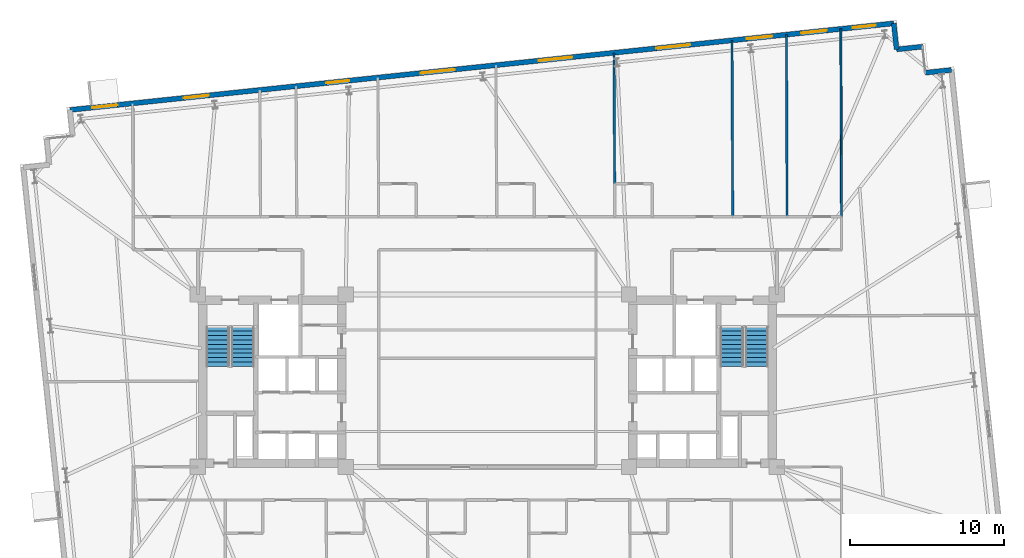
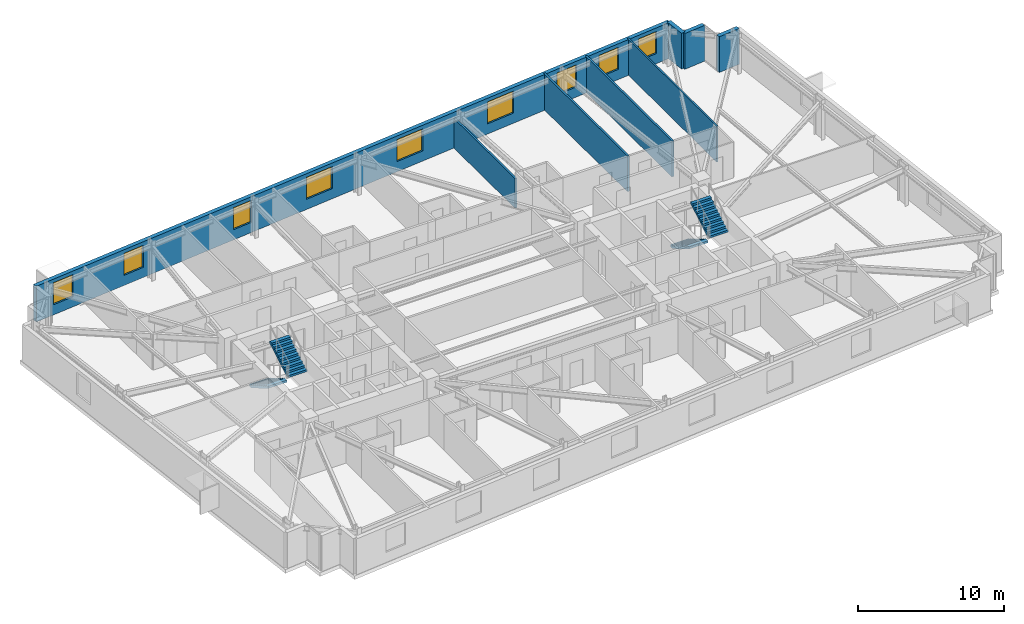
# One storey, part 16 of 19: 9 windows, 8 walls, 4 stair flights, 9 openings, 2 elements without a shape of their own.
"""IFC4 building model written with IfcOpenShell, lengths in metres."""

from ifc_helpers import new_model, si_unit, direction, frame, frame_2d, origin, place, context, subcontext, project, spatial, polyline, rectangle, outline, extrude, material, layer, layer_set, type_object, element, fill, aggregate, save


model = new_model("IFC4")

# Units and contexts
model_context = context("Model", 3, precision=1e-05, world=origin(), true_north=direction((0.0, 1.0)))
body_context = subcontext(model_context, "Body", "Model", "MODEL_VIEW")
ifc_project = project(units=[si_unit("LENGTHUNIT", "METRE"), si_unit("AREAUNIT", "SQUARE_METRE"), si_unit("VOLUMEUNIT", "CUBIC_METRE"), si_unit("PLANEANGLEUNIT", "RADIAN"), si_unit("MASSUNIT", "GRAM", prefix="KILO")], contexts=[model_context])

# Site, building, storey
site_placement = place(None, origin())
site = spatial("IfcSite", under=ifc_project, at=site_placement, CompositionType="ELEMENT")
building_placement = place(site_placement, origin())
building = spatial("IfcBuilding", under=site, at=building_placement, Name="Qobustan Lattice House", CompositionType="ELEMENT")
storey_placement = place(building_placement, frame((0.0, 0.0, 122.550048828125)))
storey = spatial("IfcBuildingStorey", under=building, at=storey_placement, Name="L34", CompositionType="ELEMENT", Elevation=122.550048828125)

# Wall, openings, windows
ifc_material_1 = material(Name="Precast concrete C40/50", Category="concrete")
ifc_layer_1 = layer(ifc_material_1, 0.320068359375)
ifc_layer_set_1 = layer_set([ifc_layer_1], Name="Precast concrete C40/50")
wall_type_1 = type_object("IfcWallType", Name="WAL-EXT-STONE-320", PredefinedType="SOLIDWALL", material=ifc_layer_set_1)
wall_1_placement = place(storey_placement, frame((-27.107421875, 17.585693359375, 0.0), z_axis=(0.0, 0.0, 1.0), x_axis=(0.994521628355, 0.104531003701, 0.0)))
wall_1 = element("IfcWall", 1, at=wall_1_placement, inside=storey, type_object=wall_type_1, Name="L34 exterior limestone-clad wall 10", PredefinedType="SOLIDWALL", context=body_context, shape_type="SweptSolid", body=[
    extrude(rectangle(XDim=53.800048828125, YDim=0.320068359375, at=frame_2d((26.89990234375, 0.0))), origin(), (0.0, 0.0, 1.0), 3.0),
])
opening_1_placement = place(wall_1_placement, frame((1.456787109375, 0.0, 0.85009765625)))
opening_1 = element("IfcOpeningElement", 2, at=opening_1_placement, cuts=wall_1, Name="Opening WN-09", PredefinedType="OPENING", context=body_context, shape_type="SweptSolid", body=[
    extrude(rectangle(XDim=1.64990234375, YDim=1.85009765625, at=frame_2d((0.824951171875, 0.925048828125))), frame((0.0, 0.169921875, 0.0), z_axis=(0.0, -1.0, 0.0), x_axis=(1.0, 0.0, 0.0)), (0.0, 0.0, 1.0), 0.340087890625),
])
opening_2_placement = place(wall_1_placement, frame((7.421142578125, 0.0, 0.85009765625)))
opening_2 = element("IfcOpeningElement", 3, at=opening_2_placement, cuts=wall_1, Name="Opening WN-09", PredefinedType="OPENING", context=body_context, shape_type="SweptSolid", body=[
    extrude(rectangle(XDim=1.64990234375, YDim=1.85009765625, at=frame_2d((0.824951171875, 0.925048828125))), frame((0.0, 0.169921875, 0.0), z_axis=(0.0, -1.0, 0.0), x_axis=(1.0, 0.0, 0.0)), (0.0, 0.0, 1.0), 0.340087890625),
])
opening_3_placement = place(wall_1_placement, frame((16.742919921875, 0.0, 0.85009765625)))
opening_3 = element("IfcOpeningElement", 4, at=opening_3_placement, cuts=wall_1, Name="Opening WN-01", PredefinedType="OPENING", context=body_context, shape_type="SweptSolid", body=[
    extrude(rectangle(XDim=1.5, YDim=1.85009765625, at=frame_2d((0.75, 0.925048828125))), frame((0.0, 0.169921875, 0.0), z_axis=(0.0, -1.0, 0.0), x_axis=(1.0, 0.0, 0.0)), (0.0, 0.0, 1.0), 0.340087890625),
])
opening_4_placement = place(wall_1_placement, frame((22.91796875, 0.0, 0.85009765625)))
opening_4 = element("IfcOpeningElement", 5, at=opening_4_placement, cuts=wall_1, Name="Opening WN-03", PredefinedType="OPENING", context=body_context, shape_type="SweptSolid", body=[
    extrude(rectangle(XDim=2.199951171875, YDim=1.85009765625, at=frame_2d((1.10009765625, 0.925048828125))), frame((0.0, 0.169921875, 0.0), z_axis=(0.0, -1.0, 0.0), x_axis=(1.0, 0.0, 0.0)), (0.0, 0.0, 1.0), 0.340087890625),
])
opening_5_placement = place(wall_1_placement, frame((30.603515625, 0.0, 0.85009765625)))
opening_5 = element("IfcOpeningElement", 6, at=opening_5_placement, cuts=wall_1, Name="Opening WN-03", PredefinedType="OPENING", context=body_context, shape_type="SweptSolid", body=[
    extrude(rectangle(XDim=2.199951171875, YDim=1.85009765625, at=frame_2d((1.10009765625, 0.925048828125))), frame((0.0, 0.169921875, 0.0), z_axis=(0.0, -1.0, 0.0), x_axis=(1.0, 0.0, 0.0)), (0.0, 0.0, 1.0), 0.340087890625),
])
opening_6_placement = place(wall_1_placement, frame((38.289306640625, 0.0, 0.85009765625)))
opening_6 = element("IfcOpeningElement", 7, at=opening_6_placement, cuts=wall_1, Name="Opening WN-03", PredefinedType="OPENING", context=body_context, shape_type="SweptSolid", body=[
    extrude(rectangle(XDim=2.199951171875, YDim=1.85009765625, at=frame_2d((1.10009765625, 0.925048828125))), frame((0.0, 0.169921875, 0.0), z_axis=(0.0, -1.0, 0.0), x_axis=(1.0, 0.0, 0.0)), (0.0, 0.0, 1.0), 0.340087890625),
])
opening_7_placement = place(wall_1_placement, frame((44.20849609375, 0.0, 0.85009765625)))
opening_7 = element("IfcOpeningElement", 8, at=opening_7_placement, cuts=wall_1, Name="Opening WN-09", PredefinedType="OPENING", context=body_context, shape_type="SweptSolid", body=[
    extrude(rectangle(XDim=1.64990234375, YDim=1.85009765625, at=frame_2d((0.824951171875, 0.925048828125))), frame((0.0, 0.169921875, 0.0), z_axis=(0.0, -1.0, 0.0), x_axis=(1.0, 0.0, 0.0)), (0.0, 0.0, 1.0), 0.340087890625),
])
opening_8_placement = place(wall_1_placement, frame((47.771240234375, 0.0, 0.85009765625)))
opening_8 = element("IfcOpeningElement", 9, at=opening_8_placement, cuts=wall_1, Name="Opening WN-09", PredefinedType="OPENING", context=body_context, shape_type="SweptSolid", body=[
    extrude(rectangle(XDim=1.64990234375, YDim=1.85009765625, at=frame_2d((0.824951171875, 0.925048828125))), frame((0.0, 0.169921875, 0.0), z_axis=(0.0, -1.0, 0.0), x_axis=(1.0, 0.0, 0.0)), (0.0, 0.0, 1.0), 0.340087890625),
])
opening_9_placement = place(wall_1_placement, frame((51.128662109375, 0.0, 0.85009765625)))
opening_9 = element("IfcOpeningElement", 10, at=opening_9_placement, cuts=wall_1, Name="Opening WN-01", PredefinedType="OPENING", context=body_context, shape_type="SweptSolid", body=[
    extrude(rectangle(XDim=1.5, YDim=1.85009765625, at=frame_2d((0.75, 0.925048828125))), frame((0.0, 0.169921875, 0.0), z_axis=(0.0, -1.0, 0.0), x_axis=(1.0, 0.0, 0.0)), (0.0, 0.0, 1.0), 0.340087890625),
])
ifc_material_2 = material(Name="Double-glazed low-E aluminium window", Category="aluminium")
window_type_1 = type_object("IfcWindowType", Name="WIN-BED-1500x1850", PartitioningType="SINGLE_PANEL", PredefinedType="WINDOW", material=ifc_material_2)
window_1_placement = place(opening_3_placement, origin())
window_1 = element("IfcWindow", 11, at=window_1_placement, inside=storey, type_object=window_type_1, Name="L34 Laundry utility room window", OverallHeight=1.85009765625, OverallWidth=1.5, PartitioningType="SINGLE_PANEL", PredefinedType="WINDOW", context=body_context, shape_type="SweptSolid", body=[
    extrude(rectangle(XDim=1.5, YDim=1.85009765625, at=frame_2d((0.75, 0.925048828125))), frame((0.0, 0.030029296875, 0.0), z_axis=(0.0, -1.0, 0.0), x_axis=(1.0, 0.0, 0.0)), (0.0, 0.0, 1.0), 0.06005859375),
])
fill(opening_3, window_1)
window_2_placement = place(opening_9_placement, origin())
window_2 = element("IfcWindow", 12, at=window_2_placement, inside=storey, type_object=window_type_1, Name="L34 Music and podcast studio window", OverallHeight=1.85009765625, OverallWidth=1.5, PartitioningType="SINGLE_PANEL", PredefinedType="WINDOW", context=body_context, shape_type="SweptSolid", body=[
    extrude(rectangle(XDim=1.5, YDim=1.85009765625, at=frame_2d((0.75, 0.925048828125))), frame((0.0, 0.030029296875, 0.0), z_axis=(0.0, -1.0, 0.0), x_axis=(1.0, 0.0, 0.0)), (0.0, 0.0, 1.0), 0.06005859375),
])
fill(opening_9, window_2)
ifc_material_3 = material(Name="Double-glazed low-E aluminium window", Category="aluminium")
window_type_2 = type_object("IfcWindowType", Name="WIN-STU-1650x1850", PartitioningType="SINGLE_PANEL", PredefinedType="WINDOW", material=ifc_material_3)
window_3_placement = place(opening_1_placement, origin())
window_3 = element("IfcWindow", 13, at=window_3_placement, inside=storey, type_object=window_type_2, Name="L34 Collaborative tutorial room window", OverallHeight=1.85009765625, OverallWidth=1.64990234375, PartitioningType="SINGLE_PANEL", PredefinedType="WINDOW", context=body_context, shape_type="SweptSolid", body=[
    extrude(rectangle(XDim=1.64990234375, YDim=1.85009765625, at=frame_2d((0.824951171875, 0.925048828125))), frame((0.0, 0.030029296875, 0.0), z_axis=(0.0, -1.0, 0.0), x_axis=(1.0, 0.0, 0.0)), (0.0, 0.0, 1.0), 0.06005859375),
])
fill(opening_1, window_3)
window_4_placement = place(opening_2_placement, origin())
window_4 = element("IfcWindow", 14, at=window_4_placement, inside=storey, type_object=window_type_2, Name="L34 Focus study room N1 window", OverallHeight=1.85009765625, OverallWidth=1.64990234375, PartitioningType="SINGLE_PANEL", PredefinedType="WINDOW", context=body_context, shape_type="SweptSolid", body=[
    extrude(rectangle(XDim=1.64990234375, YDim=1.85009765625, at=frame_2d((0.824951171875, 0.925048828125))), frame((0.0, 0.030029296875, 0.0), z_axis=(0.0, -1.0, 0.0), x_axis=(1.0, 0.0, 0.0)), (0.0, 0.0, 1.0), 0.06005859375),
])
fill(opening_2, window_4)
window_5_placement = place(opening_7_placement, origin())
window_5 = element("IfcWindow", 15, at=window_5_placement, inside=storey, type_object=window_type_2, Name="L34 Focus study room N6A window", OverallHeight=1.85009765625, OverallWidth=1.64990234375, PartitioningType="SINGLE_PANEL", PredefinedType="WINDOW", context=body_context, shape_type="SweptSolid", body=[
    extrude(rectangle(XDim=1.64990234375, YDim=1.85009765625, at=frame_2d((0.824951171875, 0.925048828125))), frame((0.0, 0.030029296875, 0.0), z_axis=(0.0, -1.0, 0.0), x_axis=(1.0, 0.0, 0.0)), (0.0, 0.0, 1.0), 0.06005859375),
])
fill(opening_7, window_5)
window_6_placement = place(opening_8_placement, origin())
window_6 = element("IfcWindow", 16, at=window_6_placement, inside=storey, type_object=window_type_2, Name="L34 Focus study room N6B window", OverallHeight=1.85009765625, OverallWidth=1.64990234375, PartitioningType="SINGLE_PANEL", PredefinedType="WINDOW", context=body_context, shape_type="SweptSolid", body=[
    extrude(rectangle(XDim=1.64990234375, YDim=1.85009765625, at=frame_2d((0.824951171875, 0.925048828125))), frame((0.0, 0.030029296875, 0.0), z_axis=(0.0, -1.0, 0.0), x_axis=(1.0, 0.0, 0.0)), (0.0, 0.0, 1.0), 0.06005859375),
])
fill(opening_8, window_6)
ifc_material_4 = material(Name="Double-glazed low-E aluminium window", Category="aluminium")
window_type_3 = type_object("IfcWindowType", Name="WIN-WIDE-2200x1850", PartitioningType="SINGLE_PANEL", PredefinedType="WINDOW", material=ifc_material_4)
window_7_placement = place(opening_4_placement, origin())
window_7 = element("IfcWindow", 17, at=window_7_placement, inside=storey, type_object=window_type_3, Name="L34 Kitchenette and studio apartment L34-N3 window", OverallHeight=1.85009765625, OverallWidth=2.199951171875, PartitioningType="SINGLE_PANEL", PredefinedType="WINDOW", context=body_context, shape_type="SweptSolid", body=[
    extrude(rectangle(XDim=2.199951171875, YDim=1.85009765625, at=frame_2d((1.10009765625, 0.925048828125))), frame((0.0, 0.030029296875, 0.0), z_axis=(0.0, -1.0, 0.0), x_axis=(1.0, 0.0, 0.0)), (0.0, 0.0, 1.0), 0.06005859375),
])
fill(opening_4, window_7)
window_8_placement = place(opening_5_placement, origin())
window_8 = element("IfcWindow", 18, at=window_8_placement, inside=storey, type_object=window_type_3, Name="L34 Kitchenette and studio apartment L34-N4 window", OverallHeight=1.85009765625, OverallWidth=2.199951171875, PartitioningType="SINGLE_PANEL", PredefinedType="WINDOW", context=body_context, shape_type="SweptSolid", body=[
    extrude(rectangle(XDim=2.199951171875, YDim=1.85009765625, at=frame_2d((1.10009765625, 0.925048828125))), frame((0.0, 0.030029296875, 0.0), z_axis=(0.0, -1.0, 0.0), x_axis=(1.0, 0.0, 0.0)), (0.0, 0.0, 1.0), 0.06005859375),
])
fill(opening_5, window_8)
window_9_placement = place(opening_6_placement, origin())
window_9 = element("IfcWindow", 19, at=window_9_placement, inside=storey, type_object=window_type_3, Name="L34 Kitchenette and studio apartment L34-N5 window", OverallHeight=1.85009765625, OverallWidth=2.199951171875, PartitioningType="SINGLE_PANEL", PredefinedType="WINDOW", context=body_context, shape_type="SweptSolid", body=[
    extrude(rectangle(XDim=2.199951171875, YDim=1.85009765625, at=frame_2d((1.10009765625, 0.925048828125))), frame((0.0, 0.030029296875, 0.0), z_axis=(0.0, -1.0, 0.0), x_axis=(1.0, 0.0, 0.0)), (0.0, 0.0, 1.0), 0.06005859375),
])
fill(opening_6, window_9)

# Walls
for number, where, z_axis, x_axis, name in (
    (20, (26.39794921875, 23.20947265625, 0.0), (0.0, 0.0, 1.0), (0.104550220202, -0.994519608382, 0.0), "L34 exterior limestone-clad wall 11"),
    (21, (26.57568359375, 21.518798828125, 0.0), (0.0, 0.0, 1.0), (0.994534530939, 0.104408173862, 0.0), "L34 exterior limestone-clad wall 12"),
    (22, (28.444091796875, 20.005615234375, 0.0), (0.0, 0.0, 1.0), (0.994519608382, 0.104550220202, 0.0), "L34 exterior limestone-clad wall 14"),
):
    element("IfcWall", number, at=place(storey_placement, frame(where, z_axis=z_axis, x_axis=x_axis)), inside=storey, type_object=wall_type_1, Name=name, PredefinedType="SOLIDWALL", context=body_context, shape_type="SweptSolid", body=[
        extrude(rectangle(XDim=1.699951171875, YDim=0.320068359375, at=frame_2d((0.85009765625, 0.0))), origin(), (0.0, 0.0, 1.0), 3.0),
    ])
ifc_material_5 = material(Name="Lightweight acoustic stud partition", Category="gypsum")
ifc_layer_2 = layer(ifc_material_5, 0.125)
ifc_layer_set_2 = layer_set([ifc_layer_2], Name="Lightweight acoustic stud partition")
wall_type_2 = type_object("IfcWallType", Name="WAL-PART-125", PredefinedType="PARTITIONING", material=ifc_layer_set_2)
wall_2_placement = place(storey_placement, frame((23.0, 10.64990234375, 0.0), z_axis=(0.0, 0.0, 1.0), x_axis=(-0.0036027147, 0.999993510202, 0.0)))
element("IfcWall", 23, at=wall_2_placement, inside=storey, type_object=wall_type_2, Name="L34 interior partition 83", PredefinedType="PARTITIONING", context=body_context, shape_type="SweptSolid", body=[
    extrude(rectangle(XDim=12.19775390625, YDim=0.125, at=frame_2d((6.098876953125, 0.0))), origin(), (0.0, 0.0, 1.0), 3.0),
])
ifc_material_6 = material(Name="Acoustic twin-stud gypsum partition", Category="gypsum")
ifc_layer_3 = layer(ifc_material_6, 0.14990234375)
ifc_layer_set_3 = layer_set([ifc_layer_3], Name="Acoustic twin-stud gypsum partition")
wall_type_3 = type_object("IfcWallType", Name="WAL-PART-150", PredefinedType="PARTITIONING", material=ifc_layer_set_3)
wall_3_placement = place(storey_placement, frame((8.22314453125, 21.299072265625, 0.0), z_axis=(0.0, 0.0, 1.0), x_axis=(0.005170561699, -0.999986632557, 0.0)))
element("IfcWall", 24, at=wall_3_placement, inside=storey, type_object=wall_type_3, Name="L34 interior partition 94", PredefinedType="PARTITIONING", context=body_context, shape_type="SweptSolid", body=[
    extrude(rectangle(XDim=8.4990234375, YDim=0.14990234375, at=frame_2d((4.24951171875, 0.0))), origin(), (0.0, 0.0, 1.0), 2.48486328125),
])
wall_4_placement = place(storey_placement, frame((15.88916015625, 22.104736328125, 0.0), z_axis=(0.0, 0.0, 1.0), x_axis=(0.003836370669, -0.999992641103, 0.0)))
element("IfcWall", 25, at=wall_4_placement, inside=storey, type_object=wall_type_3, Name="L34 interior partition 98", PredefinedType="PARTITIONING", context=body_context, shape_type="SweptSolid", body=[
    extrude(rectangle(XDim=11.454833984375, YDim=0.14990234375, at=frame_2d((5.7275390625, 0.0))), origin(), (0.0, 0.0, 1.0), 3.0),
])
wall_5_placement = place(storey_placement, frame((19.422607421875, 22.476318359375, 0.0), z_axis=(0.0, 0.0, 1.0), x_axis=(0.003715834878, -0.999993096262, 0.0)))
element("IfcWall", 26, at=wall_5_placement, inside=storey, type_object=wall_type_3, Name="L34 interior partition 99", PredefinedType="PARTITIONING", context=body_context, shape_type="SweptSolid", body=[
    extrude(rectangle(XDim=11.826416015625, YDim=0.14990234375, at=frame_2d((5.9130859375, 0.0))), origin(), (0.0, 0.0, 1.0), 3.0),
])

# Stair, stair flights
ifc_material_7 = material(Name="Concrete C40/50", Category="concrete")
stair_type = type_object("IfcStairType", Name="STR-CORE-DOGLEG", PredefinedType="HALF_TURN_STAIR", material=ifc_material_7)
stair_1_placement = place(storey_placement, origin())
stair_1 = element("IfcStair", 27, at=stair_1_placement, inside=storey, type_object=stair_type, Name="L34 West protected exit stair ST-W1", PredefinedType="HALF_TURN_STAIR")
ifc_material_8 = material(Name="Concrete C40/50", Category="concrete")
stair_flight_type = type_object("IfcStairFlightType", Name="SFL-RC-1500", PredefinedType="STRAIGHT", material=ifc_material_8)
stair_flight_1_placement = place(storey_placement, frame((-17.5, 3.5, 0.0), z_axis=(0.0, 0.0, 1.0), x_axis=(0.0, -1.0, 0.0)))
stair_flight_1 = element("IfcStairFlight", 28, at=stair_flight_1_placement, type_object=stair_flight_type, Name="ST-W1 flight 1", NumberOfRisers=10, NumberOfTreads=9, PredefinedType="STRAIGHT", RiserHeight=0.1675, TreadLength=0.285, context=body_context, shape_type="SweptSolid", body=[
    extrude(outline(polyline([(0.0, 0.0), (0.0, 0.16748046875), (0.284912109375, 0.16748046875), (0.284912109375, 0.3349609375), (0.570068359375, 0.3349609375), (0.570068359375, 0.50244140625), (0.85498046875, 0.50244140625), (0.85498046875, 0.669921875), (1.139892578125, 0.669921875), (1.139892578125, 0.83740234375), (1.425048828125, 0.83740234375), (1.425048828125, 1.0048828125), (1.7099609375, 1.0048828125), (1.7099609375, 1.172607421875), (1.9951171875, 1.172607421875), (1.9951171875, 1.340087890625), (2.280029296875, 1.340087890625), (2.280029296875, 1.507568359375), (2.56494140625, 1.507568359375), (2.56494140625, 1.675048828125), (2.56494140625, 1.333740234375), (0.2958984375, 0.0), (0.0, 0.0)])), frame((0.0, 0.75, 0.0), z_axis=(0.0, -1.0, 0.0), x_axis=(1.0, 0.0, 0.0)), (0.0, 0.0, 1.0), 1.5),
])
stair_flight_2_placement = place(storey_placement, frame((-15.8798828125, 0.93505859375, 1.675048828125), z_axis=(0.0, 0.0, 1.0), x_axis=(0.0, 1.0, 0.0)))
stair_flight_2 = element("IfcStairFlight", 29, at=stair_flight_2_placement, type_object=stair_flight_type, Name="ST-W1 flight 2", NumberOfRisers=10, NumberOfTreads=9, PredefinedType="STRAIGHT", RiserHeight=0.1675, TreadLength=0.285, context=body_context, shape_type="SweptSolid", body=[
    extrude(outline(polyline([(0.0, 0.0), (0.0, 0.16748046875), (0.284912109375, 0.16748046875), (0.284912109375, 0.3349609375), (0.570068359375, 0.3349609375), (0.570068359375, 0.50244140625), (0.85498046875, 0.50244140625), (0.85498046875, 0.669921875), (1.139892578125, 0.669921875), (1.139892578125, 0.83740234375), (1.425048828125, 0.83740234375), (1.425048828125, 1.0048828125), (1.7099609375, 1.0048828125), (1.7099609375, 1.172607421875), (1.9951171875, 1.172607421875), (1.9951171875, 1.340087890625), (2.280029296875, 1.340087890625), (2.280029296875, 1.507568359375), (2.56494140625, 1.507568359375), (2.56494140625, 1.675048828125), (2.56494140625, 1.333740234375), (0.2958984375, 0.0), (0.0, 0.0)])), frame((0.0, 0.75, 0.0), z_axis=(0.0, -1.0, 0.0), x_axis=(1.0, 0.0, 0.0)), (0.0, 0.0, 1.0), 1.5),
])
aggregate(stair_1, [stair_flight_1, stair_flight_2])

stair_2_placement = place(storey_placement, origin())
stair_2 = element("IfcStair", 30, at=stair_2_placement, inside=storey, type_object=stair_type, Name="L34 East protected exit stair ST-E1", PredefinedType="HALF_TURN_STAIR")
stair_flight_3_placement = place(storey_placement, frame((15.8798828125, 3.5, 0.0), z_axis=(0.0, 0.0, 1.0), x_axis=(0.0, -1.0, 0.0)))
stair_flight_3 = element("IfcStairFlight", 31, at=stair_flight_3_placement, type_object=stair_flight_type, Name="ST-E1 flight 1", NumberOfRisers=10, NumberOfTreads=9, PredefinedType="STRAIGHT", RiserHeight=0.1675, TreadLength=0.285, context=body_context, shape_type="SweptSolid", body=[
    extrude(outline(polyline([(0.0, 0.0), (0.0, 0.16748046875), (0.284912109375, 0.16748046875), (0.284912109375, 0.3349609375), (0.570068359375, 0.3349609375), (0.570068359375, 0.50244140625), (0.85498046875, 0.50244140625), (0.85498046875, 0.669921875), (1.139892578125, 0.669921875), (1.139892578125, 0.83740234375), (1.425048828125, 0.83740234375), (1.425048828125, 1.0048828125), (1.7099609375, 1.0048828125), (1.7099609375, 1.172607421875), (1.9951171875, 1.172607421875), (1.9951171875, 1.340087890625), (2.280029296875, 1.340087890625), (2.280029296875, 1.507568359375), (2.56494140625, 1.507568359375), (2.56494140625, 1.675048828125), (2.56494140625, 1.333740234375), (0.2958984375, 0.0), (0.0, 0.0)])), frame((0.0, 0.75, 0.0), z_axis=(0.0, -1.0, 0.0), x_axis=(1.0, 0.0, 0.0)), (0.0, 0.0, 1.0), 1.5),
])
stair_flight_4_placement = place(storey_placement, frame((17.5, 0.93505859375, 1.675048828125), z_axis=(0.0, 0.0, 1.0), x_axis=(0.0, 1.0, 0.0)))
stair_flight_4 = element("IfcStairFlight", 32, at=stair_flight_4_placement, type_object=stair_flight_type, Name="ST-E1 flight 2", NumberOfRisers=10, NumberOfTreads=9, PredefinedType="STRAIGHT", RiserHeight=0.1675, TreadLength=0.285, context=body_context, shape_type="SweptSolid", body=[
    extrude(outline(polyline([(0.0, 0.0), (0.0, 0.16748046875), (0.284912109375, 0.16748046875), (0.284912109375, 0.3349609375), (0.570068359375, 0.3349609375), (0.570068359375, 0.50244140625), (0.85498046875, 0.50244140625), (0.85498046875, 0.669921875), (1.139892578125, 0.669921875), (1.139892578125, 0.83740234375), (1.425048828125, 0.83740234375), (1.425048828125, 1.0048828125), (1.7099609375, 1.0048828125), (1.7099609375, 1.172607421875), (1.9951171875, 1.172607421875), (1.9951171875, 1.340087890625), (2.280029296875, 1.340087890625), (2.280029296875, 1.507568359375), (2.56494140625, 1.507568359375), (2.56494140625, 1.675048828125), (2.56494140625, 1.333740234375), (0.2958984375, 0.0), (0.0, 0.0)])), frame((0.0, 0.75, 0.0), z_axis=(0.0, -1.0, 0.0), x_axis=(1.0, 0.0, 0.0)), (0.0, 0.0, 1.0), 1.5),
])
aggregate(stair_2, [stair_flight_3, stair_flight_4])

save(model, "model.ifc")
